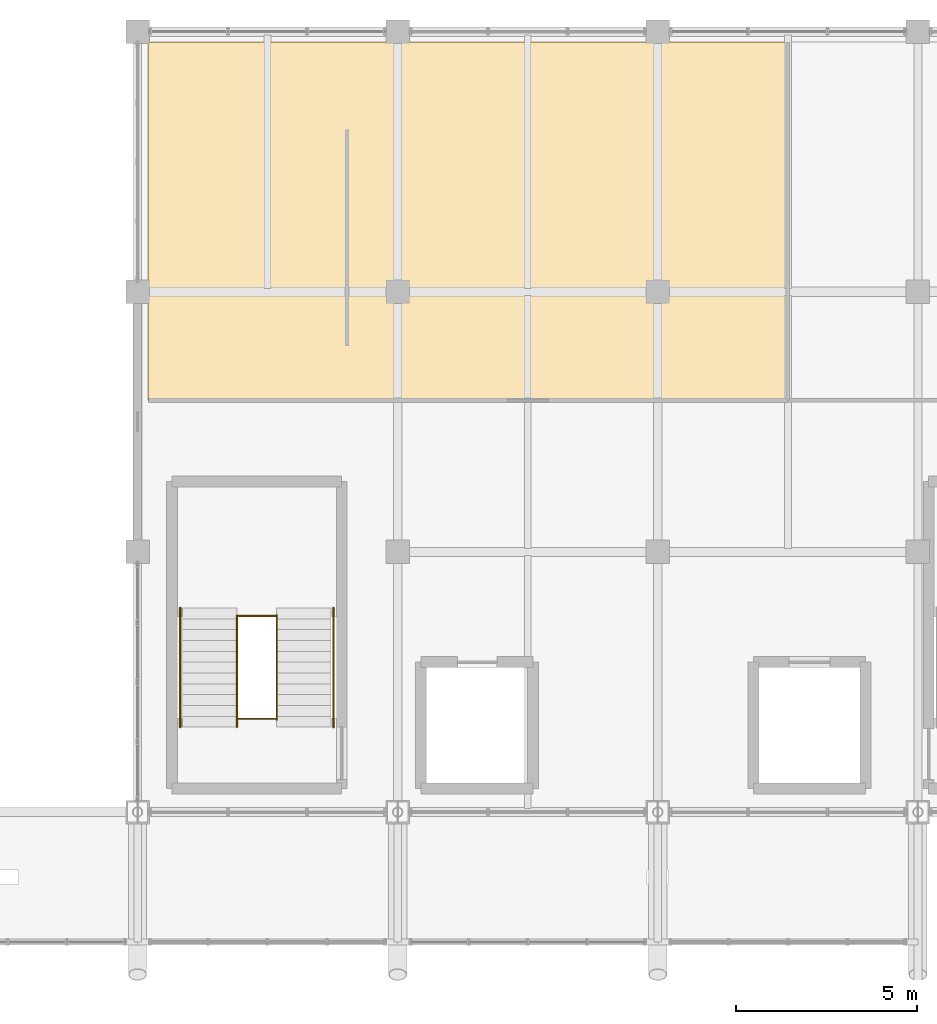
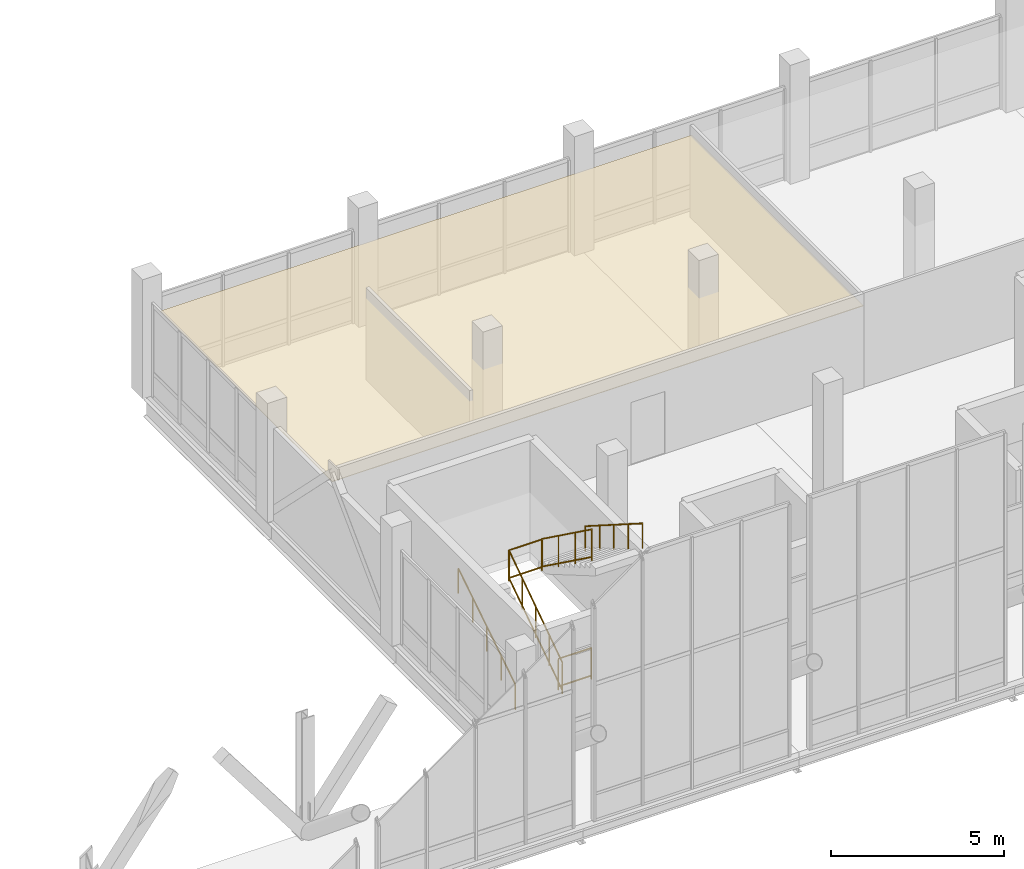
# One storey, part 100 of 102: 6 railings, 1 covering.
"""IFC4 building model written with IfcOpenShell, lengths in metres."""

from ifc_helpers import new_model, si_unit, direction, frame, origin, origin_2d, place, context, subcontext, project, spatial, polyline, circle, outline, extrude, material, layer, layer_set, type_object, element, save


model = new_model("IFC4")

# Units and contexts
model_context = context("Model", 3, precision=1e-05, world=origin(), true_north=direction((0.0, 1.0)))
body_context = subcontext(model_context, "Body", "Model", "MODEL_VIEW")
ifc_project = project(units=[si_unit("LENGTHUNIT", "METRE"), si_unit("AREAUNIT", "SQUARE_METRE"), si_unit("VOLUMEUNIT", "CUBIC_METRE"), si_unit("PLANEANGLEUNIT", "RADIAN"), si_unit("MASSUNIT", "GRAM", prefix="KILO")], contexts=[model_context])

# Site, building, storey
site_placement = place(None, origin())
site = spatial("IfcSite", under=ifc_project, at=site_placement, CompositionType="ELEMENT")
building_placement = place(site_placement, origin())
building = spatial("IfcBuilding", under=site, at=building_placement, Name="Yarey Park Central Fire Station", CompositionType="ELEMENT")
storey_placement = place(building_placement, frame((0.0, 0.0, 6.0)))
storey = spatial("IfcBuildingStorey", under=building, at=storey_placement, Name="L02", CompositionType="ELEMENT", Elevation=6.0)

# Covering
ifc_material_1 = material(Name="Acoustic Mineral Fibre Tile", Category="finish")
ifc_layer = layer(ifc_material_1, 0.02001953125)
ifc_layer_set = layer_set([ifc_layer], Name="Acoustic Mineral Fibre Tile")
covering_type = type_object("IfcCoveringType", Name="INT_CEIL_ACT_1", PredefinedType="CEILING", material=ifc_layer_set)
covering_placement = place(storey_placement, frame((0.0, 0.0, 2.85009765625)))
element("IfcCovering", 1, at=covering_placement, inside=storey, type_object=covering_type, Name="CEIL_SPC_L02_OPS1", PredefinedType="CEILING", context=body_context, shape_type="SweptSolid", body=[
    extrude(outline(polyline([(115.489990234375, 104.989990234375), (133.2099609375, 104.989990234375), (133.2099609375, 114.909912109375), (115.489990234375, 114.909912109375), (115.489990234375, 104.989990234375)])), origin(), (0.0, 0.0, 1.0), 0.02001953125),
])

# Railings
ifc_material_2 = material(Name="Galvanized Steel Balustrade", Category="steel")
railing_type_1 = type_object("IfcRailingType", Name="INT_RAIL_GUARD112", PredefinedType="BALUSTRADE", material=ifc_material_2)
railing_1_placement = place(storey_placement, frame((117.949951171875, 95.949951171875, 0.0)))
element("IfcRailing", 2, at=railing_1_placement, inside=storey, type_object=railing_type_1, Name="GRD_C1_L02_F1", PredefinedType="BALUSTRADE", context=body_context, shape_type="SweptSolid", body=[
    extrude(circle(Radius=0.02392578125, at=origin_2d()), frame((0.0, 0.0, 1.09619140625), z_axis=(0.0, 0.827914784024, 0.560853911811), x_axis=(-1.0, 0.0, 0.0)), (0.0, 0.0, 1.0), 3.744384765625),
    extrude(circle(Radius=0.02392578125, at=origin_2d()), frame((0.0, 0.0, 0.1201171875), z_axis=(0.0, 0.827914784024, 0.560853911811), x_axis=(-1.0, 0.0, 0.0)), (0.0, 0.0, 1.0), 3.744384765625),
    extrude(circle(Radius=0.02099609375, at=origin_2d()), origin(), (0.0, 0.0, 1.0), 1.072021484375),
    extrude(circle(Radius=0.02099609375, at=origin_2d()), frame((0.0, 0.77490234375, 0.52490234375)), (0.0, 0.0, 1.0), 1.072021484375),
    extrude(circle(Radius=0.02099609375, at=origin_2d()), frame((0.0, 1.550048828125, 1.050048828125)), (0.0, 0.0, 1.0), 1.072021484375),
    extrude(circle(Radius=0.02099609375, at=origin_2d()), frame((0.0, 2.3251953125, 1.5751953125)), (0.0, 0.0, 1.0), 1.072021484375),
    extrude(circle(Radius=0.02099609375, at=origin_2d()), frame((0.0, 3.10009765625, 2.10009765625)), (0.0, 0.0, 1.0), 1.072021484375),
])
railing_2_placement = place(storey_placement, frame((119.050048828125, 99.050048828125, 2.10009765625)))
element("IfcRailing", 3, at=railing_2_placement, inside=storey, type_object=railing_type_1, Name="GRD_C1_L02_F2", PredefinedType="BALUSTRADE", context=body_context, shape_type="SweptSolid", body=[
    extrude(circle(Radius=0.02392578125, at=origin_2d()), frame((0.0, 0.0, 1.09619140625), z_axis=(0.0, -0.809975627919, 0.586463538659), x_axis=(1.0, 0.0, 0.0)), (0.0, 0.0, 1.0), 3.58056640625),
    extrude(circle(Radius=0.02392578125, at=origin_2d()), frame((0.0, 0.0, 0.1201171875), z_axis=(0.0, -0.809975627919, 0.586463538659), x_axis=(1.0, 0.0, 0.0)), (0.0, 0.0, 1.0), 3.58056640625),
    extrude(circle(Radius=0.02099609375, at=origin_2d()), origin(), (0.0, 0.0, 1.0), 1.072021484375),
    extrude(circle(Radius=0.02099609375, at=origin_2d()), frame((0.0, -0.966796875, 0.699951171875)), (0.0, 0.0, 1.0), 1.072021484375),
    extrude(circle(Radius=0.02099609375, at=origin_2d()), frame((0.0, -1.933349609375, 1.39990234375)), (0.0, 0.0, 1.0), 1.072021484375),
    extrude(circle(Radius=0.02099609375, at=origin_2d()), frame((0.0, -2.900146484375, 2.099853515625)), (0.0, 0.0, 1.0), 1.072021484375),
])
for number, where, name in (
    (4, (117.949951171875, 99.030029296875, 2.10009765625), "GRD_C1_L02_SLOT_MID"),
    (5, (117.949951171875, 96.179931640625, 0.0), "GRD_C1_L02_SLOT_BOT"),
):
    element("IfcRailing", number, at=place(storey_placement, frame(where)), inside=storey, type_object=railing_type_1, Name=name, PredefinedType="BALUSTRADE", context=body_context, shape_type="SweptSolid", body=[
        extrude(circle(Radius=0.02392578125, at=origin_2d()), frame((0.0, 0.0, 1.09619140625), z_axis=(1.0, 0.0, 0.0), x_axis=(0.0, 1.0, 0.0)), (0.0, 0.0, 1.0), 1.10009765625),
        extrude(circle(Radius=0.02392578125, at=origin_2d()), frame((0.0, 0.0, 0.1201171875), z_axis=(1.0, 0.0, 0.0), x_axis=(0.0, 1.0, 0.0)), (0.0, 0.0, 1.0), 1.10009765625),
        extrude(circle(Radius=0.02099609375, at=origin_2d()), origin(), (0.0, 0.0, 1.0), 1.072021484375),
        extrude(circle(Radius=0.02099609375, at=origin_2d()), frame((1.10009765625, 0.0, 0.0)), (0.0, 0.0, 1.0), 1.072021484375),
    ])
ifc_material_3 = material(Name="Stainless Steel AISI 316L", Category="steel")
railing_type_2 = type_object("IfcRailingType", Name="INT_RAIL_HAND090", PredefinedType="HANDRAIL", material=ifc_material_3)
railing_3_placement = place(storey_placement, frame((116.3798828125, 95.949951171875, 0.0)))
element("IfcRailing", 6, at=railing_3_placement, inside=storey, type_object=railing_type_2, Name="HR_C1_L02_F1", PredefinedType="HANDRAIL", context=body_context, shape_type="SweptSolid", body=[
    extrude(circle(Radius=0.02392578125, at=origin_2d()), frame((0.0, 0.0, 0.8759765625), z_axis=(0.0, 0.843653777646, 0.53688760785), x_axis=(-1.0, 0.0, 0.0)), (0.0, 0.0, 1.0), 3.91162109375),
    extrude(circle(Radius=0.02099609375, at=origin_2d()), origin(), (0.0, 0.0, 1.0), 0.851806640625),
    extrude(circle(Radius=0.02099609375, at=origin_2d()), frame((0.0, 0.824951171875, 0.52490234375)), (0.0, 0.0, 1.0), 0.851806640625),
    extrude(circle(Radius=0.02099609375, at=origin_2d()), frame((0.0, 1.64990234375, 1.050048828125)), (0.0, 0.0, 1.0), 0.851806640625),
    extrude(circle(Radius=0.02099609375, at=origin_2d()), frame((0.0, 2.47509765625, 1.5751953125)), (0.0, 0.0, 1.0), 0.851806640625),
    extrude(circle(Radius=0.02099609375, at=origin_2d()), frame((0.0, 3.300048828125, 2.10009765625)), (0.0, 0.0, 1.0), 0.851806640625),
])
railing_4_placement = place(storey_placement, frame((120.6201171875, 99.25, 2.10009765625)))
element("IfcRailing", 7, at=railing_4_placement, inside=storey, type_object=railing_type_2, Name="HR_C1_L02_F2", PredefinedType="HANDRAIL", context=body_context, shape_type="SweptSolid", body=[
    extrude(circle(Radius=0.02392578125, at=origin_2d()), frame((0.0, 0.0, 0.8759765625), z_axis=(0.0, -0.843682047799, 0.53684318215), x_axis=(1.0, 0.0, 0.0)), (0.0, 0.0, 1.0), 3.911376953125),
    extrude(circle(Radius=0.02099609375, at=origin_2d()), origin(), (0.0, 0.0, 1.0), 0.851806640625),
    extrude(circle(Radius=0.02099609375, at=origin_2d()), frame((0.0, -0.824951171875, 0.52490234375)), (0.0, 0.0, 1.0), 0.851806640625),
    extrude(circle(Radius=0.02099609375, at=origin_2d()), frame((0.0, -1.64990234375, 1.0498046875)), (0.0, 0.0, 1.0), 0.851806640625),
    extrude(circle(Radius=0.02099609375, at=origin_2d()), frame((0.0, -2.47509765625, 1.574951171875)), (0.0, 0.0, 1.0), 0.851806640625),
    extrude(circle(Radius=0.02099609375, at=origin_2d()), frame((0.0, -3.300048828125, 2.099853515625)), (0.0, 0.0, 1.0), 0.851806640625),
])

save(model, "model.ifc")
